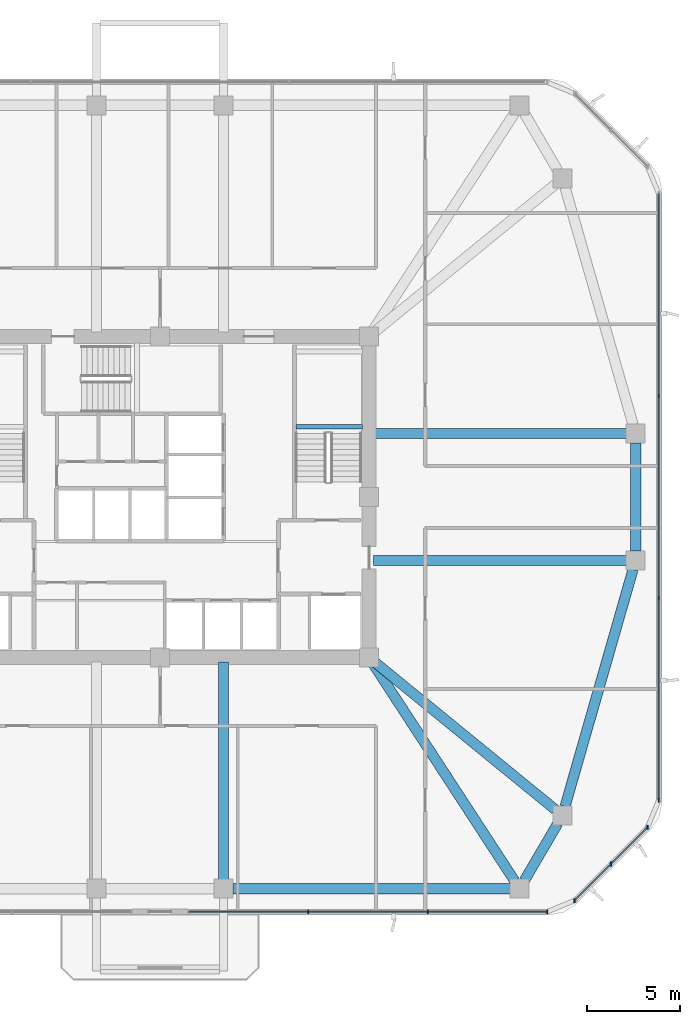
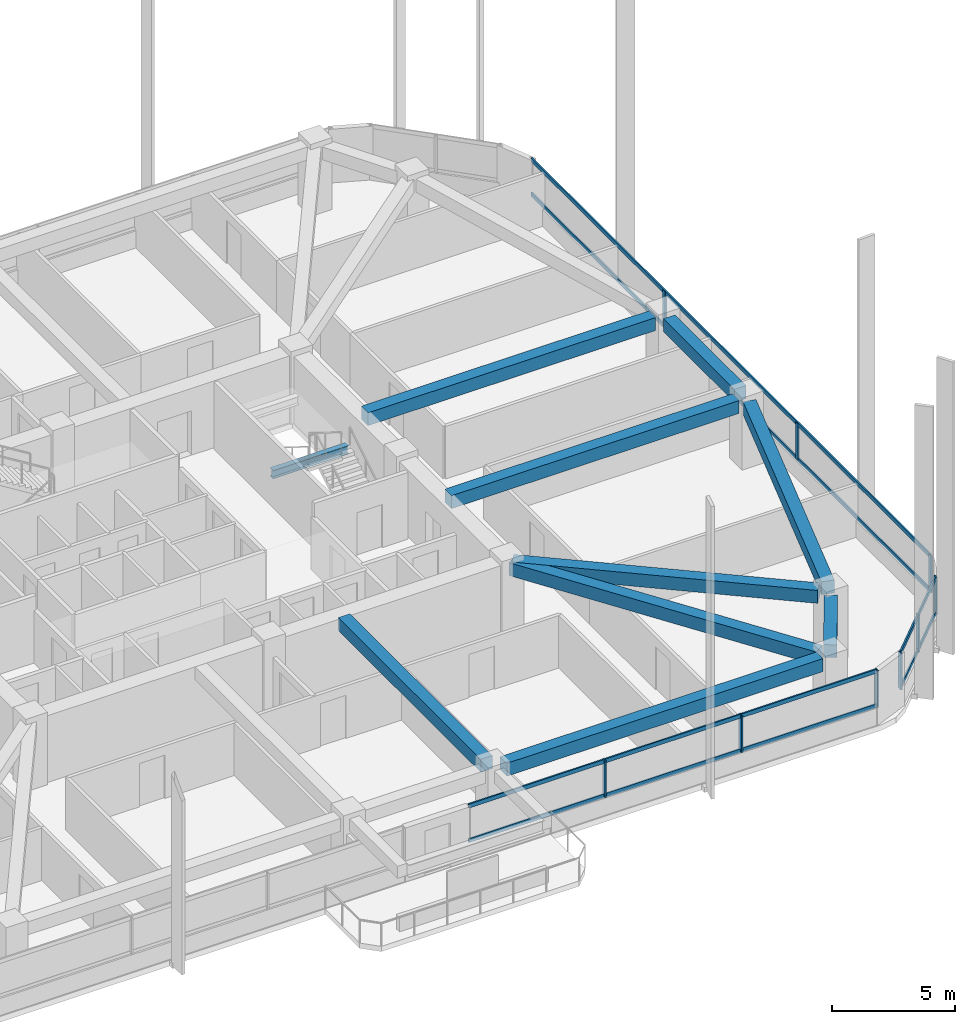
# One storey, part 3 of 15: 15 members, 10 beams, 3 elements without a shape of their own.
"""IFC4 building model written with IfcOpenShell, lengths in metres."""

from ifc_helpers import new_model, si_unit, derived_unit, direction, frame, origin, origin_2d, place, context, subcontext, project, spatial, rectangle, i_section, extrude, material, material_profile, profile_set, type_object, element, aggregate, save


model = new_model("IFC4")

# Units and contexts
model_context = context("Model", 3, precision=1e-05, world=origin(), true_north=direction((0.0, 1.0)))
body_context = subcontext(model_context, "Body", "Model", "MODEL_VIEW")
ifc_project = project(units=[si_unit("LENGTHUNIT", "METRE"), si_unit("AREAUNIT", "SQUARE_METRE"), si_unit("VOLUMEUNIT", "CUBIC_METRE"), si_unit("PLANEANGLEUNIT", "RADIAN"), si_unit("MASSUNIT", "GRAM", prefix="KILO"), derived_unit("THERMALTRANSMITTANCEUNIT", [(si_unit("POWERUNIT", "WATT"), 1), (si_unit("LENGTHUNIT", "METRE"), -2), (si_unit("THERMODYNAMICTEMPERATUREUNIT", "KELVIN"), -1)])], contexts=[model_context])

# Site, building, storey
site_placement = place(None, origin())
site = spatial("IfcSite", under=ifc_project, at=site_placement, CompositionType="ELEMENT")
building_placement = place(site_placement, origin())
building = spatial("IfcBuilding", under=site, at=building_placement, Name="Koralith Skygarden Medical Center", CompositionType="ELEMENT")
storey_placement = place(building_placement, frame((0.0, 0.0, 84.780029296875)))
storey = spatial("IfcBuildingStorey", under=building, at=storey_placement, Name="L21", CompositionType="ELEMENT", Elevation=84.780029296875)

# Curtain wall, members
ifc_material_1 = material(Name="Clear Laminated Glass", Category="glass")
curtain_wall_type = type_object("IfcCurtainWallType", Name="CW-3 Zone 2 Faceted Solar Curtain Wall", PredefinedType="NOTDEFINED", material=ifc_material_1)
curtain_wall_1_placement = place(storey_placement, origin())
curtain_wall_1 = element("IfcCurtainWall", 1, at=curtain_wall_1_placement, inside=storey, type_object=curtain_wall_type, Name="Curtain Wall CW-L21-S-R", PredefinedType="NOTDEFINED")
ifc_material_2 = material(Name="Aluminium 6063-T6", Category="aluminium")
ifc_material_profile_1 = material_profile(ifc_material_2, rectangle(XDim=0.073974609375, YDim=0.219970703125, at=origin_2d()), Name="MUL74X220")
ifc_profile_set_1 = profile_set([ifc_material_profile_1], Name="Aluminium 6063-T6")
member_type_1 = type_object("IfcMemberType", Name="CW-3 Extruded Mullion 74x220", PredefinedType="MULLION", material=ifc_profile_set_1)
member_1_placement = place(storey_placement, frame((44.94091796875, 3.679931640625, 0.849853515625), z_axis=(0.0, 0.0, 1.0), x_axis=(1.0, 0.0, 0.0)))
member_1 = element("IfcMember", 2, at=member_1_placement, type_object=member_type_1, Name="CW-L21-S-R Mullion 2", PredefinedType="MULLION", context=body_context, shape_type="SweptSolid", body=[
    extrude(rectangle(XDim=0.073974609375, YDim=0.219970703125, at=origin_2d()), origin(), (0.0, 0.0, 1.0), 1.820068359375),
])
member_2_placement = place(storey_placement, frame((51.343017578125, 3.679931640625, 0.849853515625), z_axis=(0.0, 0.0, 1.0), x_axis=(1.0, 0.0, 0.0)))
member_2 = element("IfcMember", 3, at=member_2_placement, type_object=member_type_1, Name="CW-L21-S-R Mullion 3", PredefinedType="MULLION", context=body_context, shape_type="SweptSolid", body=[
    extrude(rectangle(XDim=0.073974609375, YDim=0.219970703125, at=origin_2d()), origin(), (0.0, 0.0, 1.0), 1.820068359375),
])
member_3_placement = place(storey_placement, frame((57.7451171875, 3.679931640625, 0.849853515625), z_axis=(0.0, 0.0, 1.0), x_axis=(1.0, 0.0, 0.0)))
member_3 = element("IfcMember", 4, at=member_3_placement, type_object=member_type_1, Name="CW-L21-S-R Mullion 4", PredefinedType="MULLION", context=body_context, shape_type="SweptSolid", body=[
    extrude(rectangle(XDim=0.073974609375, YDim=0.219970703125, at=origin_2d()), origin(), (0.0, 0.0, 1.0), 1.820068359375),
])

curtain_wall_2_placement = place(storey_placement, origin())
curtain_wall_2 = element("IfcCurtainWall", 5, at=curtain_wall_2_placement, inside=storey, type_object=curtain_wall_type, Name="Curtain Wall CW-L21-SE", PredefinedType="NOTDEFINED")
member_4_placement = place(storey_placement, frame((59.196044921875, 4.281005859375, 0.849853515625), z_axis=(0.0, 0.0, 1.0), x_axis=(1.0, 0.0, 0.0)))
member_4 = element("IfcMember", 6, at=member_4_placement, type_object=member_type_1, Name="CW-L21-SE Mullion 1", PredefinedType="MULLION", context=body_context, shape_type="SweptSolid", body=[
    extrude(rectangle(XDim=0.073974609375, YDim=0.219970703125, at=origin_2d()), origin(), (0.0, 0.0, 1.0), 1.820068359375),
])
member_5_placement = place(storey_placement, frame((61.156982421875, 6.241943359375, 0.849853515625), z_axis=(0.0, 0.0, 1.0), x_axis=(1.0, 0.0, 0.0)))
member_5 = element("IfcMember", 7, at=member_5_placement, type_object=member_type_1, Name="CW-L21-SE Mullion 2", PredefinedType="MULLION", context=body_context, shape_type="SweptSolid", body=[
    extrude(rectangle(XDim=0.073974609375, YDim=0.219970703125, at=origin_2d()), origin(), (0.0, 0.0, 1.0), 1.820068359375),
])
member_6_placement = place(storey_placement, frame((63.118896484375, 8.2041015625, 0.849853515625), z_axis=(0.0, 0.0, 1.0), x_axis=(1.0, 0.0, 0.0)))
member_6 = element("IfcMember", 8, at=member_6_placement, type_object=member_type_1, Name="CW-L21-SE Mullion 3", PredefinedType="MULLION", context=body_context, shape_type="SweptSolid", body=[
    extrude(rectangle(XDim=0.073974609375, YDim=0.219970703125, at=origin_2d()), origin(), (0.0, 0.0, 1.0), 1.820068359375),
])

curtain_wall_3_placement = place(storey_placement, origin())
curtain_wall_3 = element("IfcCurtainWall", 9, at=curtain_wall_3_placement, inside=storey, type_object=curtain_wall_type, Name="Curtain Wall CW-L21-E", PredefinedType="NOTDEFINED")
member_7_placement = place(storey_placement, frame((63.719970703125, 9.655029296875, 0.849853515625), z_axis=(0.0, 0.0, 1.0), x_axis=(1.0, 0.0, 0.0)))
member_7 = element("IfcMember", 10, at=member_7_placement, type_object=member_type_1, Name="CW-L21-E Mullion 1", PredefinedType="MULLION", context=body_context, shape_type="SweptSolid", body=[
    extrude(rectangle(XDim=0.073974609375, YDim=0.219970703125, at=origin_2d()), origin(), (0.0, 0.0, 1.0), 1.820068359375),
])
member_8_placement = place(storey_placement, frame((63.719970703125, 20.485107421875, 0.849853515625), z_axis=(0.0, 0.0, 1.0), x_axis=(1.0, 0.0, 0.0)))
member_8 = element("IfcMember", 11, at=member_8_placement, type_object=member_type_1, Name="CW-L21-E Mullion 2", PredefinedType="MULLION", context=body_context, shape_type="SweptSolid", body=[
    extrude(rectangle(XDim=0.073974609375, YDim=0.219970703125, at=origin_2d()), origin(), (0.0, 0.0, 1.0), 1.820068359375),
])
member_9_placement = place(storey_placement, frame((63.719970703125, 31.31494140625, 0.849853515625), z_axis=(0.0, 0.0, 1.0), x_axis=(1.0, 0.0, 0.0)))
member_9 = element("IfcMember", 12, at=member_9_placement, type_object=member_type_1, Name="CW-L21-E Mullion 3", PredefinedType="MULLION", context=body_context, shape_type="SweptSolid", body=[
    extrude(rectangle(XDim=0.073974609375, YDim=0.219970703125, at=origin_2d()), origin(), (0.0, 0.0, 1.0), 1.820068359375),
])

# Member
ifc_material_profile_2 = material_profile(ifc_material_2, rectangle(XDim=0.069091796875, YDim=0.197998046875, at=origin_2d()), Name="TRN69X198")
ifc_profile_set_2 = profile_set([ifc_material_profile_2], Name="Aluminium 6063-T6")
member_type_2 = type_object("IfcMemberType", Name="CW-3 Thermal Transom 69x198", PredefinedType="USERDEFINED", material=ifc_profile_set_2)
member_10_placement = place(storey_placement, frame((38.5390625, 3.679931640625, 0.89990234375), z_axis=(1.0, 0.0, 0.0), x_axis=(0.0, 1.0, 0.0)))
member_10 = element("IfcMember", 13, at=member_10_placement, type_object=member_type_2, Name="CW-L21-S-R Transom 1", ObjectType="TRANSOM", PredefinedType="USERDEFINED", context=body_context, shape_type="SweptSolid", body=[
    extrude(rectangle(XDim=0.069091796875, YDim=0.197998046875, at=origin_2d()), origin(), (0.0, 0.0, 1.0), 19.2060546875),
])

member_11_placement = place(storey_placement, frame((38.5390625, 3.679931640625, 2.619873046875), z_axis=(1.0, 0.0, 0.0), x_axis=(0.0, 1.0, 0.0)))
member_11 = element("IfcMember", 14, at=member_11_placement, type_object=member_type_2, Name="CW-L21-S-R Transom 2", ObjectType="TRANSOM", PredefinedType="USERDEFINED", context=body_context, shape_type="SweptSolid", body=[
    extrude(rectangle(XDim=0.069091796875, YDim=0.197998046875, at=origin_2d()), origin(), (0.0, 0.0, 1.0), 19.2060546875),
])

aggregate(curtain_wall_1, [member_1, member_2, member_3, member_10, member_11])

member_12_placement = place(storey_placement, frame((59.196044921875, 4.281005859375, 0.89990234375), z_axis=(0.707084777957, 0.707128783731, 0.0), x_axis=(-0.707128783731, 0.707084777957, 0.0)))
member_12 = element("IfcMember", 15, at=member_12_placement, type_object=member_type_2, Name="CW-L21-SE Transom 1", ObjectType="TRANSOM", PredefinedType="USERDEFINED", context=body_context, shape_type="SweptSolid", body=[
    extrude(rectangle(XDim=0.069091796875, YDim=0.197998046875, at=origin_2d()), origin(), (0.0, 0.0, 1.0), 5.5478515625),
])

member_13_placement = place(storey_placement, frame((59.196044921875, 4.281005859375, 2.619873046875), z_axis=(0.707084777957, 0.707128783731, 0.0), x_axis=(-0.707128783731, 0.707084777957, 0.0)))
member_13 = element("IfcMember", 16, at=member_13_placement, type_object=member_type_2, Name="CW-L21-SE Transom 2", ObjectType="TRANSOM", PredefinedType="USERDEFINED", context=body_context, shape_type="SweptSolid", body=[
    extrude(rectangle(XDim=0.069091796875, YDim=0.197998046875, at=origin_2d()), origin(), (0.0, 0.0, 1.0), 5.5478515625),
])

aggregate(curtain_wall_2, [member_4, member_5, member_6, member_12, member_13])

member_14_placement = place(storey_placement, frame((63.719970703125, 9.655029296875, 0.89990234375), z_axis=(0.0, 1.0, 0.0), x_axis=(-1.0, 0.0, 0.0)))
member_14 = element("IfcMember", 17, at=member_14_placement, type_object=member_type_2, Name="CW-L21-E Transom 1", ObjectType="TRANSOM", PredefinedType="USERDEFINED", context=body_context, shape_type="SweptSolid", body=[
    extrude(rectangle(XDim=0.069091796875, YDim=0.197998046875, at=origin_2d()), origin(), (0.0, 0.0, 1.0), 32.489990234375),
])

member_15_placement = place(storey_placement, frame((63.719970703125, 9.655029296875, 2.619873046875), z_axis=(0.0, 1.0, 0.0), x_axis=(-1.0, 0.0, 0.0)))
member_15 = element("IfcMember", 18, at=member_15_placement, type_object=member_type_2, Name="CW-L21-E Transom 2", ObjectType="TRANSOM", PredefinedType="USERDEFINED", context=body_context, shape_type="SweptSolid", body=[
    extrude(rectangle(XDim=0.069091796875, YDim=0.197998046875, at=origin_2d()), origin(), (0.0, 0.0, 1.0), 32.489990234375),
])

aggregate(curtain_wall_3, [member_7, member_8, member_9, member_14, member_15])

# Beams
ifc_material_3 = material(Name="Steel ASTM A992 Grade 50", Category="steel")
ifc_material_profile_3 = material_profile(ifc_material_3, i_section(OverallWidth=0.260009765625, OverallDepth=0.4150390625, WebThickness=0.010009765625, FlangeThickness=0.016845703125, at=origin_2d()), Name="W16X67")
ifc_profile_set_3 = profile_set([ifc_material_profile_3], Name="Steel ASTM A992 Grade 50")
beam_type_1 = type_object("IfcBeamType", Name="Clinical Floor Joist W16X67", PredefinedType="JOIST", material=ifc_profile_set_3)
beam_1_placement = place(storey_placement, frame((44.280029296875, 29.659912109375, 1.39208984375), z_axis=(1.0, 0.0, 0.0), x_axis=(0.0, 1.0, 0.0)))
element("IfcBeam", 19, at=beam_1_placement, inside=storey, type_object=beam_type_1, Name="L21 Stair ST2 Half-Landing Support Beam 1A", PredefinedType="JOIST", context=body_context, shape_type="SweptSolid", body=[
    extrude(i_section(OverallWidth=0.260009765625, OverallDepth=0.4150390625, WebThickness=0.010009765625, FlangeThickness=0.016845703125, at=origin_2d()), origin(), (0.0, 0.0, 1.0), 3.56494140625),
])
ifc_material_4 = material(Name="Concrete C45/55", Category="concrete")
ifc_material_profile_4 = material_profile(ifc_material_4, rectangle(XDim=0.550048828125, YDim=0.639892578125, at=origin_2d()), Name="RCB550X640")
ifc_profile_set_4 = profile_set([ifc_material_profile_4], Name="Concrete C45/55")
beam_type_2 = type_object("IfcBeamType", Name="Radial Collector Beam RCB550X640", PredefinedType="BEAM", material=ifc_profile_set_4)
beam_2_placement = place(storey_placement, frame((40.39990234375, 17.050048828125, 3.0), z_axis=(0.0, -1.0, 0.0), x_axis=(1.0, 0.0, 0.0)))
element("IfcBeam", 20, at=beam_2_placement, inside=storey, type_object=beam_type_2, Name="L21 Radial Collector Beam RB-05", PredefinedType="BEAM", context=body_context, shape_type="SweptSolid", body=[
    extrude(rectangle(XDim=0.550048828125, YDim=0.639892578125, at=origin_2d()), origin(), (0.0, 0.0, 1.0), 11.630126953125),
])
beam_3_placement = place(storey_placement, frame((48.3359375, 17.091064453125, 3.0), z_axis=(0.546010797592, -0.83777813824, 0.0), x_axis=(0.83777813824, 0.546010797592, 0.0)))
element("IfcBeam", 21, at=beam_3_placement, inside=storey, type_object=beam_type_2, Name="L21 Radial Collector Beam RB-06", PredefinedType="BEAM", context=body_context, shape_type="SweptSolid", body=[
    extrude(rectangle(XDim=0.550048828125, YDim=0.639892578125, at=origin_2d()), origin(), (0.0, 0.0, 1.0), 14.027587890625),
])
beam_4_placement = place(storey_placement, frame((48.39404296875, 17.14208984375, 3.0), z_axis=(0.774537653753, -0.632527804067, 0.0), x_axis=(0.632527804067, 0.774537653753, 0.0)))
element("IfcBeam", 22, at=beam_4_placement, inside=storey, type_object=beam_type_2, Name="L21 Radial Collector Beam RB-07", PredefinedType="BEAM", context=body_context, shape_type="SweptSolid", body=[
    extrude(rectangle(XDim=0.550048828125, YDim=0.639892578125, at=origin_2d()), origin(), (0.0, 0.0, 1.0), 12.625732421875),
])
for number, where, z_axis, x_axis, name in (
    (23, (48.449951171875, 22.5, 3.0), (1.0, 0.0, 0.0), (0.0, 1.0, 0.0), "L21 Radial Collector Beam RB-08"),
    (24, (48.449951171875, 29.300048828125, 3.0), (1.0, 0.0, 0.0), (0.0, 1.0, 0.0), "L21 Radial Collector Beam RB-09"),
):
    element("IfcBeam", number, at=place(storey_placement, frame(where, z_axis=z_axis, x_axis=x_axis)), inside=storey, type_object=beam_type_2, Name=name, PredefinedType="BEAM", context=body_context, shape_type="SweptSolid", body=[
        extrude(rectangle(XDim=0.550048828125, YDim=0.639892578125, at=origin_2d()), origin(), (0.0, 0.0, 1.0), 13.530029296875),
    ])
ifc_material_profile_5 = material_profile(ifc_material_4, rectangle(XDim=0.550048828125, YDim=0.639892578125, at=origin_2d()), Name="RCB550X640")
ifc_profile_set_5 = profile_set([ifc_material_profile_5], Name="Concrete C45/55")
beam_type_3 = type_object("IfcBeamType", Name="Zone 2-3 Spandrel Beam RCB550X640", PredefinedType="SPANDREL", material=ifc_profile_set_5)
beam_5_placement = place(storey_placement, frame((40.89990234375, 4.919921875, 3.0), z_axis=(1.0, 0.0, 0.0), x_axis=(0.0, 1.0, 0.0)))
element("IfcBeam", 25, at=beam_5_placement, inside=storey, type_object=beam_type_3, Name="L21 Perimeter Spandrel Beam SP-05", PredefinedType="SPANDREL", context=body_context, shape_type="SweptSolid", body=[
    extrude(rectangle(XDim=0.550048828125, YDim=0.639892578125, at=origin_2d()), origin(), (0.0, 0.0, 1.0), 14.8681640625),
])
beam_6_placement = place(storey_placement, frame((56.52001953125, 5.35205078125, 3.0), z_axis=(0.50502386975, 0.863105376523, 0.0), x_axis=(-0.863105376523, 0.50502386975, 0.0)))
element("IfcBeam", 26, at=beam_6_placement, inside=storey, type_object=beam_type_3, Name="L21 Perimeter Spandrel Beam SP-06", PredefinedType="SPANDREL", context=body_context, shape_type="SweptSolid", body=[
    extrude(rectangle(XDim=0.550048828125, YDim=0.639892578125, at=origin_2d()), origin(), (0.0, 0.0, 1.0), 3.54052734375),
])
beam_7_placement = place(storey_placement, frame((58.697998046875, 9.321044921875, 3.0), z_axis=(0.275843733572, 0.961202494092, 0.0), x_axis=(-0.961202494092, 0.275843733572, 0.0)))
element("IfcBeam", 27, at=beam_7_placement, inside=storey, type_object=beam_type_3, Name="L21 Perimeter Spandrel Beam SP-07", PredefinedType="SPANDREL", context=body_context, shape_type="SweptSolid", body=[
    extrude(rectangle(XDim=0.550048828125, YDim=0.639892578125, at=origin_2d()), origin(), (0.0, 0.0, 1.0), 13.21044921875),
])
beam_8_placement = place(storey_placement, frame((62.47998046875, 23.0, 3.0), z_axis=(0.0, 1.0, 0.0), x_axis=(-1.0, 0.0, 0.0)))
element("IfcBeam", 28, at=beam_8_placement, inside=storey, type_object=beam_type_3, Name="L21 Perimeter Spandrel Beam SP-08", PredefinedType="SPANDREL", context=body_context, shape_type="SweptSolid", body=[
    extrude(rectangle(XDim=0.550048828125, YDim=0.639892578125, at=origin_2d()), origin(), (0.0, 0.0, 1.0), 5.800048828125),
])

save(model, "model.ifc")
